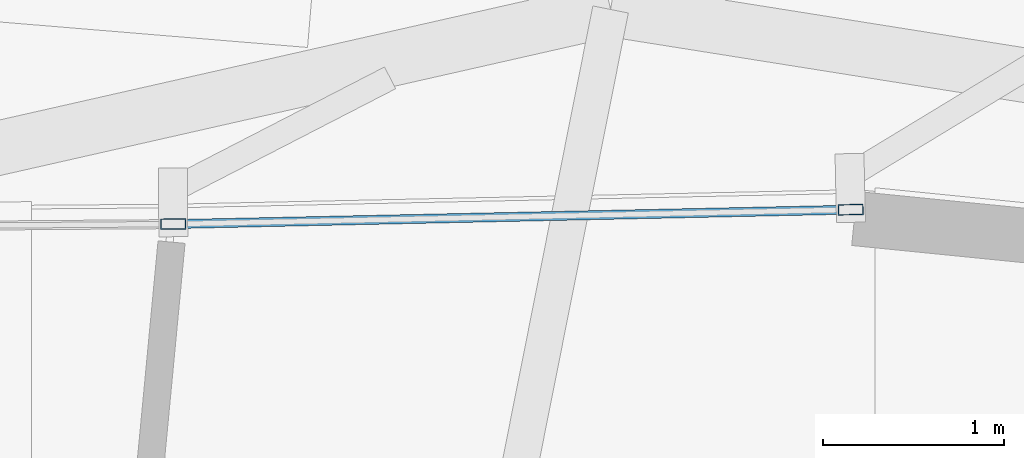
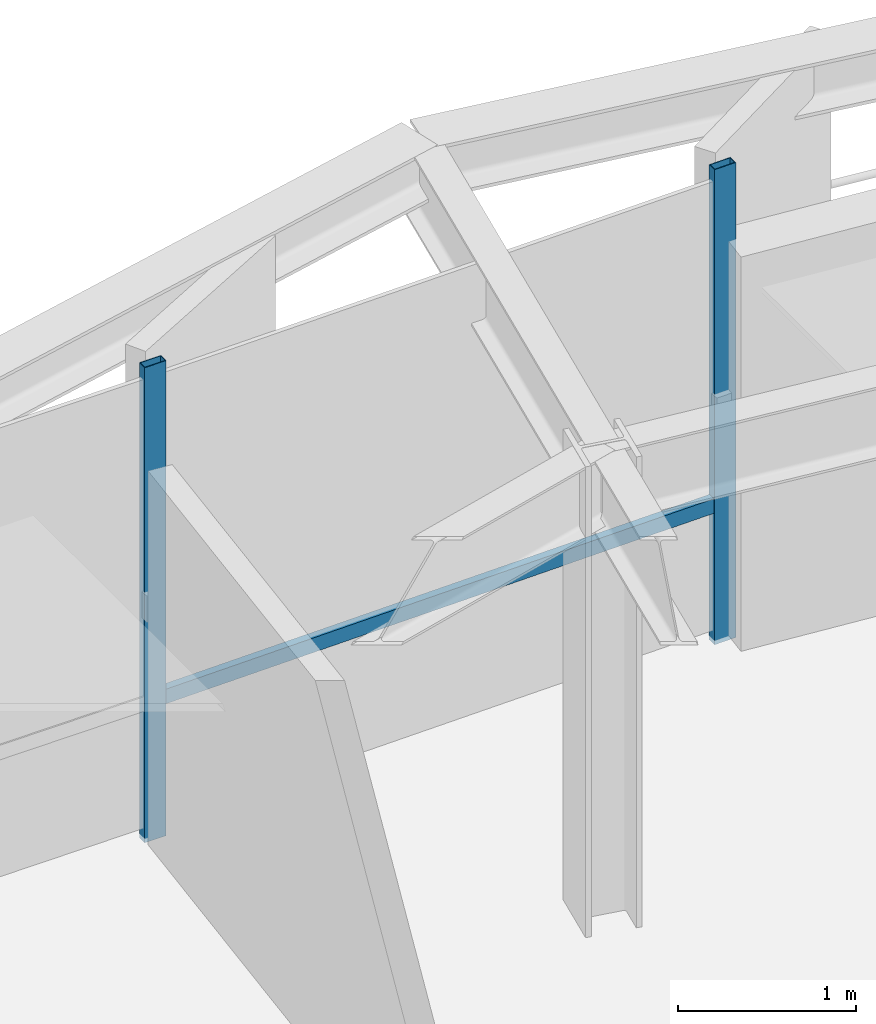
# One storey, part 26 of 37: 3 members, 1 element without a shape of its own.
"""IFC4 building model written with IfcOpenShell, lengths in metres."""

from ifc_helpers import new_model, si_unit, direction, frame, origin, origin_2d, place, context, subcontext, project, spatial, hollow_rectangle, extrude, source, transform, mapped, material, layer, layer_set, material_profile, profile_set, type_object, element, aggregate, save


model = new_model("IFC4")

# Units and contexts
model_context = context("Model", 3, precision=1e-05, world=origin(), true_north=direction((0.0, 1.0)))
body_context = subcontext(model_context, "Body", "Model", "MODEL_VIEW")
ifc_project = project(units=[si_unit("LENGTHUNIT", "METRE"), si_unit("AREAUNIT", "SQUARE_METRE"), si_unit("VOLUMEUNIT", "CUBIC_METRE"), si_unit("PLANEANGLEUNIT", "RADIAN"), si_unit("MASSUNIT", "GRAM", prefix="KILO"), si_unit("THERMODYNAMICTEMPERATUREUNIT", "KELVIN")], contexts=[model_context])

# Site, building, storey
site_placement = place(None, origin())
site = spatial("IfcSite", under=ifc_project, at=site_placement, CompositionType="ELEMENT")
building_placement = place(site_placement, origin())
building = spatial("IfcBuilding", under=site, at=building_placement, Name="Kethvar Cultural Tower", CompositionType="ELEMENT")
storey_placement = place(building_placement, frame((0.0, 0.0, 200.89990234375)))
storey = spatial("IfcBuildingStorey", under=building, at=storey_placement, Name="L52", CompositionType="ELEMENT", Elevation=200.89990234375)

# Curtain wall, members
ifc_material = material(Name="Aluminium 6063-T6", Category="aluminium")
ifc_layer = layer(ifc_material, 0.179931640625, Name="Aluminium 6063-T6", Category="aluminium")
ifc_layer_set = layer_set([ifc_layer], Name="Aluminium 6063-T6 (180 mm)")
curtain_wall_type = type_object("IfcCurtainWallType", Name="CW-SYS-04-Z34", PredefinedType="NOTDEFINED", material=ifc_layer_set)
curtain_wall_placement = place(storey_placement, origin())
curtain_wall = element("IfcCurtainWall", 1, at=curtain_wall_placement, inside=storey, type_object=curtain_wall_type, Name="L52 Curtain Wall Run 02", PredefinedType="NOTDEFINED")
ifc_material_profile_1 = material_profile(ifc_material, hollow_rectangle(XDim=0.06005859375, YDim=0.139892578125, WallThickness=0.0048828125, at=origin_2d()), Name="Aluminium 6063-T6 — RHS140x60x5")
ifc_profile_set_1 = profile_set([ifc_material_profile_1], Name="Aluminium 6063-T6 — RHS140x60x5")
member_type_1 = type_object("IfcMemberType", Name="CW-SYS-04-Z34-MUL", PredefinedType="MULLION", material=ifc_profile_set_1)
shared_shape_1 = source(origin(), body_context, "Body", "SweptSolid", [
    extrude(hollow_rectangle(XDim=0.06005859375, YDim=0.139892578125, WallThickness=0.0048828125, at=origin_2d()), origin(), (0.0, 0.0, 1.0), 3.260009765625),
])
member_1_placement = place(storey_placement, frame((52.508056640625, 48.719482421875, 0.0), z_axis=(0.0, 0.0, 1.0), x_axis=(0.021273958556, -0.999773683734, 0.0)))
member_1 = element("IfcMember", 2, at=member_1_placement, type_object=member_type_1, Name="CW-L52-R02 Mullion 1", PredefinedType="MULLION", context=body_context, shape_type="MappedRepresentation", body=[
    mapped(shared_shape_1, transform((0.0, 0.0, 0.0), scale=1.0)),
])
member_2_placement = place(storey_placement, frame((48.763916015625, 48.6396484375, 0.0), z_axis=(0.0, 0.0, 1.0), x_axis=(0.007644467667, -0.99997078063, 0.0)))
member_2 = element("IfcMember", 3, at=member_2_placement, type_object=member_type_1, Name="CW-L52-R02 Mullion 2", PredefinedType="MULLION", context=body_context, shape_type="MappedRepresentation", body=[
    mapped(shared_shape_1, transform((0.0, 0.0, 0.0), scale=1.0)),
])
ifc_material_profile_2 = material_profile(ifc_material, hollow_rectangle(XDim=0.050048828125, YDim=0.10009765625, WallThickness=0.00390625, at=origin_2d()), Name="Aluminium 6063-T6 — RHS100x50x4")
ifc_profile_set_2 = profile_set([ifc_material_profile_2], Name="Aluminium 6063-T6 — RHS100x50x4")
member_type_2 = type_object("IfcMemberType", Name="CW-SYS-04-Z34-TRN", PredefinedType="USERDEFINED", material=ifc_profile_set_2)
shared_shape_2 = source(origin(), body_context, "Body", "SweptSolid", [
    extrude(hollow_rectangle(XDim=0.050048828125, YDim=0.10009765625, WallThickness=0.00390625, at=origin_2d()), origin(), (0.0, 0.0, 1.0), 3.696044921875),
])
member_3_placement = place(storey_placement, frame((52.50390625, 48.71923828125, 0.9501953125), z_axis=(-0.999773789829, -0.021268972009, 0.0), x_axis=(0.021268972009, -0.999773789829, 0.0)))
member_3 = element("IfcMember", 4, at=member_3_placement, type_object=member_type_2, Name="CW-L52-R02 Transom 1", ObjectType="TRANSOM", PredefinedType="USERDEFINED", context=body_context, shape_type="MappedRepresentation", body=[
    mapped(shared_shape_2, transform((0.0, 0.0, 0.0), scale=1.0)),
])
aggregate(curtain_wall, [member_1, member_2, member_3])

save(model, "model.ifc")
